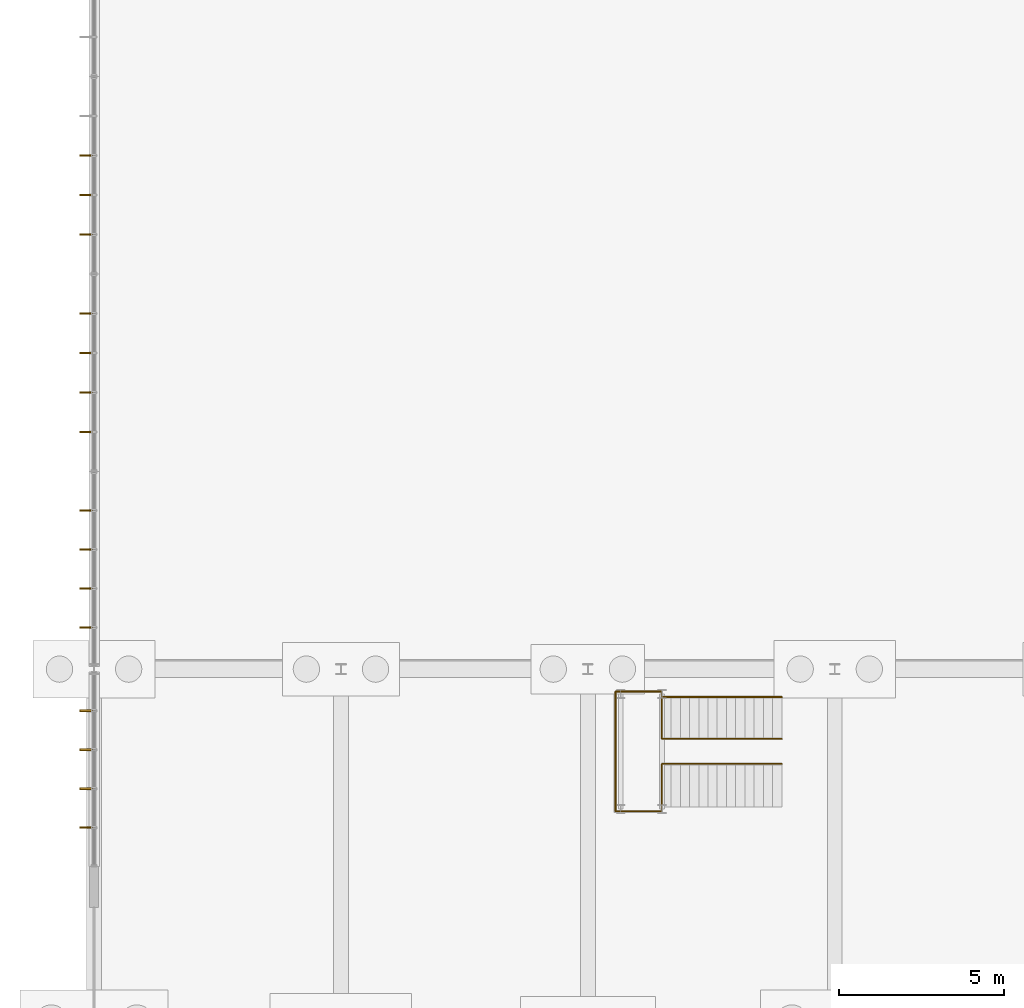
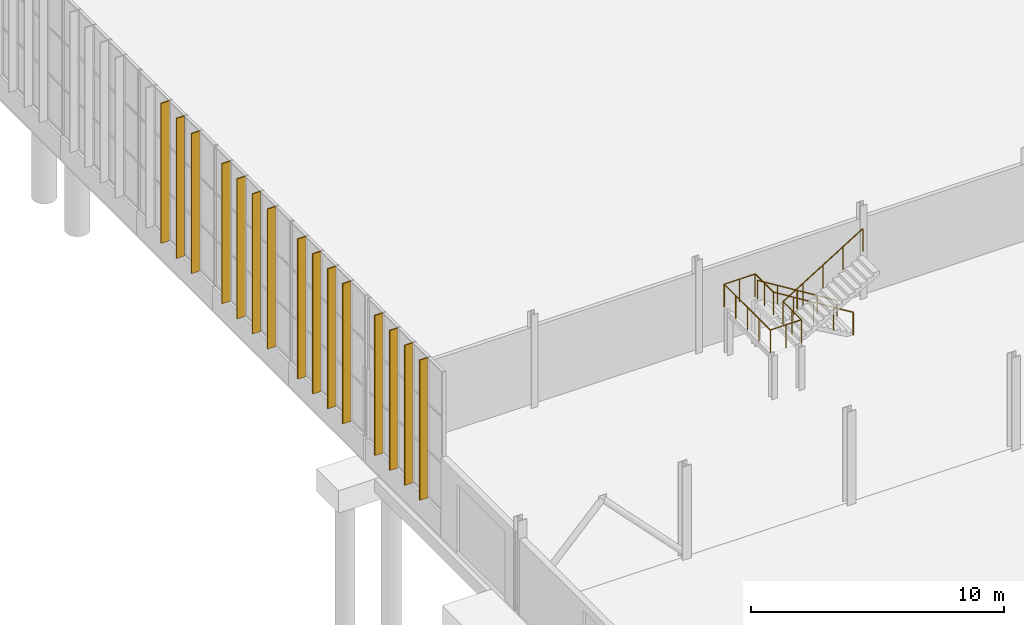
# One storey, part 124 of 136: 15 coverings, 2 railings.
"""IFC4 building model written with IfcOpenShell, lengths in metres."""

import ifcopenshell
import ifcopenshell.guid

model = None  # the IFC model being written
_history = None  # IfcOwnerHistory: only IFC2X3 demands one
_inside = {}  # id of a spatial element -> (the spatial element, [elements in it])
_under = {}  # id of a project, library or spatial element -> (it, [spatial elements below it])
_declared = {}  # id of a project -> (the project, [libraries it declares])
_typed = {}  # id of a type object -> (the type object, [elements of that type])
_made_of = {}  # id of a material, layer set ... -> (it, [elements and type objects made of it])


def new_model(schema):
    """Start an empty IFC model of exactly this schema.

    Asked for "IFC4X3", IfcOpenShell would pick the latest addendum, in which some entities
    have other attributes; the version numbers below select the first issue.
    IFC2X3 requires an IfcOwnerHistory on every rooted entity: one is made here for all.
    """
    global model, _history
    if schema == "IFC4X3":
        model = ifcopenshell.file(schema_version=(4, 3, 0, 0))
    else:
        model = ifcopenshell.file(schema=schema)
    _inside.clear()
    _under.clear()
    _declared.clear()
    _typed.clear()
    _made_of.clear()
    _history = None
    if model.schema == "IFC2X3":
        org = make("IfcOrganization", Name="unknown")
        user = make(
            "IfcPersonAndOrganization",
            ThePerson=make("IfcPerson", FamilyName="unknown"),
            TheOrganization=org,
        )
        app = make(
            "IfcApplication",
            ApplicationDeveloper=org,
            Version="unknown",
            ApplicationFullName="unknown",
            ApplicationIdentifier="unknown",
        )
        _history = make(
            "IfcOwnerHistory",
            OwningUser=user,
            OwningApplication=app,
            ChangeAction="ADDED",
            CreationDate=0,
        )
    return model


def make(cls, **values):
    """One entity of the class cls with the attributes given. An attribute that is None is left unset."""
    return model.create_entity(
        cls, **{name: value for name, value in values.items() if value is not None}
    )


def rooted(cls, **values):
    """An entity with a GlobalId (a new one), such as an element, a storey or a relation."""
    return make(cls, GlobalId=ifcopenshell.guid.new(), OwnerHistory=_history, **values)


def si_unit(unit_type, name, prefix=None):
    """IfcSIUnit, for example si_unit("LENGTHUNIT", "METRE", prefix="MILLI")."""
    return make("IfcSIUnit", UnitType=unit_type, Prefix=prefix, Name=name)


def assignment(units):
    """IfcUnitAssignment: the units of a project."""
    return None if units is None else make("IfcUnitAssignment", Units=units)


def point(xyz):
    """IfcCartesianPoint."""
    return None if xyz is None else make("IfcCartesianPoint", Coordinates=xyz)


def direction(xyz):
    """IfcDirection."""
    return None if xyz is None else make("IfcDirection", DirectionRatios=xyz)


def frame(location, z_axis=None, x_axis=None):
    """IfcAxis2Placement3D, a coordinate frame: its origin and axes. An axis left out is left unset."""
    return make(
        "IfcAxis2Placement3D",
        Location=point(location),
        Axis=direction(z_axis),
        RefDirection=direction(x_axis),
    )


def frame_2d(location, x_axis=None):
    """IfcAxis2Placement2D, a coordinate frame in the plane: its origin and x axis."""
    return make(
        "IfcAxis2Placement2D", Location=point(location), RefDirection=direction(x_axis)
    )


def origin():
    """The frame at (0, 0, 0) with its axes left unset."""
    return frame((0.0, 0.0, 0.0))


def origin_2d():
    """The frame at (0, 0) in the plane with its x axis left unset."""
    return frame_2d((0.0, 0.0))


def place(relative_to, where):
    """IfcLocalPlacement: puts the frame where relative to a parent placement (None: the world)."""
    return make(
        "IfcLocalPlacement", PlacementRelTo=relative_to, RelativePlacement=where
    )


def context(
    kind, dimensions, precision=None, world=None, true_north=None, identifier=None
):
    """IfcGeometricRepresentationContext, for example the 3D "Model" context."""
    return make(
        "IfcGeometricRepresentationContext",
        ContextIdentifier=identifier,
        ContextType=kind,
        CoordinateSpaceDimension=dimensions,
        Precision=precision,
        WorldCoordinateSystem=world,
        TrueNorth=true_north,
    )


def subcontext(parent, identifier, kind, view, scale=None):
    """IfcGeometricRepresentationSubContext, for example "Body" below "Model"."""
    return make(
        "IfcGeometricRepresentationSubContext",
        ContextIdentifier=identifier,
        ContextType=kind,
        ParentContext=parent,
        TargetScale=scale,
        TargetView=view,
    )


def project(units=None, contexts=None):
    """IfcProject with its units and contexts."""
    return rooted(
        "IfcProject",
        Name="project",
        RepresentationContexts=contexts,
        UnitsInContext=assignment(units),
    )


def spatial(cls, under=None, at=None, **own):
    """A site, building, storey or space (cls), placed at a placement, below another one or the project."""
    s = rooted(cls, ObjectPlacement=at, **own)
    if under is not None:
        _under.setdefault(under.id(), (under, []))[1].append(s)
    return s


def profile(cls, at=None, kind="AREA", **sizes):
    """A parametric profile (cls). Its sizes go by their IFC names, for example OverallWidth=200.0."""
    return make(cls, ProfileType=kind, Position=at, **sizes)


def rectangle(**sizes):
    """IfcRectangleProfileDef."""
    return profile("IfcRectangleProfileDef", **sizes)


def circle(**sizes):
    """IfcCircleProfileDef."""
    return profile("IfcCircleProfileDef", **sizes)


def extrude(swept, where, along, depth):
    """IfcExtrudedAreaSolid: the profile swept, set in the frame where, extruded along a direction by depth."""
    return make(
        "IfcExtrudedAreaSolid",
        SweptArea=swept,
        Position=where,
        ExtrudedDirection=direction(along),
        Depth=depth,
    )


def shape(context_of_items, identifier, shape_type, items):
    """IfcShapeRepresentation: the items that make up one representation, for example the "Body"."""
    return make(
        "IfcShapeRepresentation",
        ContextOfItems=context_of_items,
        RepresentationIdentifier=identifier,
        RepresentationType=shape_type,
        Items=items,
    )


def material(Name=None, Category=None):
    """IfcMaterial."""
    return make("IfcMaterial", Name=Name, Category=Category)


def layer(
    of_material, thickness, ventilated=None, Name=None, Category=None, Priority=None
):
    """IfcMaterialLayer: one layer of a wall or slab, of a material (None: an air gap)."""
    return make(
        "IfcMaterialLayer",
        Material=of_material,
        LayerThickness=thickness,
        IsVentilated=ventilated,
        Name=Name,
        Category=Category,
        Priority=Priority,
    )


def layer_set(layers, Name=None):
    """IfcMaterialLayerSet."""
    return make("IfcMaterialLayerSet", MaterialLayers=layers, LayerSetName=Name)


def made_of(thing, what):
    """Note that an element or type object is made of a material, layer set ...; save() writes the relation."""
    if what is not None:
        _made_of.setdefault(what.id(), (what, []))[1].append(thing)
    return thing


def type_object(cls, material=None, **own):
    """A type object (cls), such as IfcWallType, which elements share."""
    return made_of(rooted(cls, **own), material)


def element(
    cls,
    number,
    at=None,
    inside=None,
    cuts=None,
    type_object=None,
    material=None,
    context=None,
    identifier="Body",
    shape_type=None,
    held_by="IfcProductDefinitionShape",
    body=None,
    shapes=None,
    **own,
):
    """One element of the class cls, such as IfcWall. Its Tag is "e" and its number.

    at: its placement. inside: the storey or other place that contains it. cuts: it is an
    opening in that element (IfcRelVoidsElement). A single representation is given by context,
    identifier, shape_type and body (its items); several are given by shapes. held_by: the class
    of the entity that holds the representations. save() writes the other relations.
    """
    e = rooted(cls, Tag="e%d" % number, ObjectPlacement=at, **own)
    if body is not None:
        shapes = [shape(context, identifier, shape_type, body)]
    if shapes is not None:
        e.Representation = make(held_by, Representations=shapes)
    if inside is not None:
        _inside.setdefault(inside.id(), (inside, []))[1].append(e)
    if cuts is not None:
        rooted(
            "IfcRelVoidsElement", RelatingBuildingElement=cuts, RelatedOpeningElement=e
        )
    if type_object is not None:
        _typed.setdefault(type_object.id(), (type_object, []))[1].append(e)
    return made_of(e, material)


def aggregate(whole, parts):
    """IfcRelAggregates: a whole, such as a stair, and the parts it consists of."""
    return rooted("IfcRelAggregates", RelatingObject=whole, RelatedObjects=parts)


def save(model, path):
    """Write the relations noted so far, then the file.

    IfcRelAggregates (storeys below a building ...), IfcRelContainedInSpatialStructure (elements
    in a storey), IfcRelDefinesByType, IfcRelAssociatesMaterial and IfcRelDeclares: one each for
    every whole, place, type object, material and project.
    """
    for whole, parts in _under.values():
        aggregate(whole, parts)
    for where, things in _inside.values():
        rooted(
            "IfcRelContainedInSpatialStructure",
            RelatedElements=things,
            RelatingStructure=where,
        )
    for kind, things in _typed.values():
        rooted("IfcRelDefinesByType", RelatedObjects=things, RelatingType=kind)
    for what, things in _made_of.values():
        rooted("IfcRelAssociatesMaterial", RelatedObjects=things, RelatingMaterial=what)
    for by, libraries in _declared.values():
        rooted("IfcRelDeclares", RelatingContext=by, RelatedDefinitions=libraries)
    model.write(path)


model = new_model("IFC4")

# Units and contexts
model_context = context("Model", 3, precision=1e-05, world=origin(), true_north=direction((0.0, 1.0)))
body_context = subcontext(model_context, "Body", "Model", "MODEL_VIEW")
ifc_project = project(units=[si_unit("LENGTHUNIT", "METRE"), si_unit("AREAUNIT", "SQUARE_METRE"), si_unit("VOLUMEUNIT", "CUBIC_METRE"), si_unit("PLANEANGLEUNIT", "RADIAN"), si_unit("MASSUNIT", "GRAM", prefix="KILO")], contexts=[model_context])

# Site, building, storey
site_placement = place(None, origin())
site = spatial("IfcSite", under=ifc_project, at=site_placement, CompositionType="ELEMENT")
building_placement = place(site_placement, origin())
building = spatial("IfcBuilding", under=site, at=building_placement, Name="Solvenia Promenade Tram Depot", CompositionType="ELEMENT")
storey_placement = place(building_placement, origin())
storey = spatial("IfcBuildingStorey", under=building, at=storey_placement, Name="L00", CompositionType="ELEMENT", Elevation=0.0)

# Coverings
ifc_material = material(Name="Anodized aluminium AW-6063 T6", Category="aluminium")
ifc_layer = layer(ifc_material, 0.050048828125, Name="Anodized aluminium AW-6063 T6", Category="aluminium")
ifc_layer_set = layer_set([ifc_layer], Name="Anodized aluminium AW-6063 T6")
covering_type = type_object("IfcCoveringType", Name="Fin-Shade-380", PredefinedType="CLADDING", material=ifc_layer_set)
for number, where, z_axis, x_axis, name in (
    (1, (-0.25, 73.18408203125, 1.14990234375), (0.0, 0.0, 1.0), (1.0, 0.0, 0.0), "West Channel-Glass Shading Rib 146"),
    (2, (-0.25, 74.367919921875, 1.14990234375), (0.0, 0.0, 1.0), (1.0, 0.0, 0.0), "West Channel-Glass Shading Rib 147"),
    (3, (-0.25, 75.552001953125, 1.14990234375), (0.0, 0.0, 1.0), (1.0, 0.0, 0.0), "West Channel-Glass Shading Rib 148"),
    (4, (-0.25, 76.736083984375, 1.14990234375), (0.0, 0.0, 1.0), (1.0, 0.0, 0.0), "West Channel-Glass Shading Rib 149"),
    (5, (-0.25, 79.263916015625, 1.14990234375), (0.0, 0.0, 1.0), (1.0, 0.0, 0.0), "West Channel-Glass Shading Rib 150"),
    (6, (-0.25, 80.447998046875, 1.14990234375), (0.0, 0.0, 1.0), (1.0, 0.0, 0.0), "West Channel-Glass Shading Rib 151"),
    (7, (-0.25, 81.632080078125, 1.14990234375), (0.0, 0.0, 1.0), (1.0, 0.0, 0.0), "West Channel-Glass Shading Rib 152"),
    (8, (-0.25, 82.81591796875, 1.14990234375), (0.0, 0.0, 1.0), (1.0, 0.0, 0.0), "West Channel-Glass Shading Rib 153"),
    (9, (-0.25, 85.199951171875, 1.14990234375), (0.0, 0.0, 1.0), (1.0, 0.0, 0.0), "West Channel-Glass Shading Rib 154"),
    (10, (-0.25, 86.39990234375, 1.14990234375), (0.0, 0.0, 1.0), (1.0, 0.0, 0.0), "West Channel-Glass Shading Rib 155"),
    (11, (-0.25, 87.60009765625, 1.14990234375), (0.0, 0.0, 1.0), (1.0, 0.0, 0.0), "West Channel-Glass Shading Rib 156"),
    (12, (-0.25, 88.800048828125, 1.14990234375), (0.0, 0.0, 1.0), (1.0, 0.0, 0.0), "West Channel-Glass Shading Rib 157"),
    (13, (-0.25, 91.199951171875, 1.14990234375), (0.0, 0.0, 1.0), (1.0, 0.0, 0.0), "West Channel-Glass Shading Rib 158"),
    (14, (-0.25, 92.39990234375, 1.14990234375), (0.0, 0.0, 1.0), (1.0, 0.0, 0.0), "West Channel-Glass Shading Rib 159"),
    (15, (-0.25, 93.60009765625, 1.14990234375), (0.0, 0.0, 1.0), (1.0, 0.0, 0.0), "West Channel-Glass Shading Rib 160"),
):
    element("IfcCovering", number, at=place(storey_placement, frame(where, z_axis=z_axis, x_axis=x_axis)), inside=storey, type_object=covering_type, Name=name, PredefinedType="CLADDING", context=body_context, shape_type="SweptSolid", body=[
        extrude(rectangle(XDim=0.3798828125, YDim=0.050048828125, at=origin_2d()), origin(), (0.0, 0.0, 1.0), 6.75),
    ])

# Railings
railing_type_1 = type_object("IfcRailingType", Name="Guard-Stair-1100", PredefinedType="GUARDRAIL", material=ifc_material)
railing_1_placement = place(storey_placement, frame((20.889892578125, 75.8798828125, 0.0)))
element("IfcRailing", 16, at=railing_1_placement, inside=storey, type_object=railing_type_1, Name="Gallery Flight and Half-Landing Guard ST-GAL-01", PredefinedType="GUARDRAIL", context=body_context, shape_type="SweptSolid", body=[
    extrude(circle(Radius=0.02392578125, at=origin_2d()), frame((0.0, 0.0, 1.09619140625), z_axis=(-0.850606632239, 0.0, 0.525802583857), x_axis=(0.0, -1.0, 0.0)), (0.0, 0.0, 1.0), 4.279052734375),
    extrude(circle(Radius=0.02392578125, at=origin_2d()), frame((-3.639892578125, 0.0, 3.34619140625), z_axis=(0.0, 1.0, 0.0), x_axis=(-1.0, 0.0, 0.0)), (0.0, 0.0, 1.0), 1.440185546875),
    extrude(circle(Radius=0.02392578125, at=origin_2d()), frame((-3.639892578125, 1.440185546875, 3.34619140625), z_axis=(-1.0, 0.0, 0.0), x_axis=(0.0, -1.0, 0.0)), (0.0, 0.0, 1.0), 1.409912109375),
    extrude(circle(Radius=0.02392578125, at=origin_2d()), frame((-5.0498046875, 1.440185546875, 3.34619140625), z_axis=(0.0, -1.0, 0.0), x_axis=(1.0, 0.0, 0.0)), (0.0, 0.0, 1.0), 3.64013671875),
    extrude(circle(Radius=0.02392578125, at=origin_2d()), frame((-5.0498046875, -2.199951171875, 3.34619140625), z_axis=(1.0, 0.0, 0.0), x_axis=(0.0, 1.0, 0.0)), (0.0, 0.0, 1.0), 1.409912109375),
    extrude(circle(Radius=0.02392578125, at=origin_2d()), frame((-3.639892578125, -2.199951171875, 3.34619140625), z_axis=(0.0, 1.0, 0.0), x_axis=(-1.0, 0.0, 0.0)), (0.0, 0.0, 1.0), 1.440185546875),
    extrude(circle(Radius=0.02392578125, at=origin_2d()), frame((-3.639892578125, -0.759765625, 3.34619140625), z_axis=(0.850606632239, 0.0, 0.525802583857), x_axis=(0.0, 1.0, 0.0)), (0.0, 0.0, 1.0), 4.279052734375),
    extrude(circle(Radius=0.02099609375, at=origin_2d()), origin(), (0.0, 0.0, 1.0), 1.072021484375),
    extrude(circle(Radius=0.02099609375, at=origin_2d()), frame((-0.909912109375, 0.0, 0.5625)), (0.0, 0.0, 1.0), 1.072021484375),
    extrude(circle(Radius=0.02099609375, at=origin_2d()), frame((-1.81982421875, 0.0, 1.125)), (0.0, 0.0, 1.0), 1.072021484375),
    extrude(circle(Radius=0.02099609375, at=origin_2d()), frame((-2.72998046875, 0.0, 1.6875)), (0.0, 0.0, 1.0), 1.072021484375),
    extrude(circle(Radius=0.02099609375, at=origin_2d()), frame((-3.639892578125, 0.0, 2.25)), (0.0, 0.0, 1.0), 1.072021484375),
    extrude(circle(Radius=0.02099609375, at=origin_2d()), frame((-3.639892578125, 0.72021484375, 2.25)), (0.0, 0.0, 1.0), 1.072021484375),
    extrude(circle(Radius=0.02099609375, at=origin_2d()), frame((-3.639892578125, 1.440185546875, 2.25)), (0.0, 0.0, 1.0), 1.072021484375),
    extrude(circle(Radius=0.02099609375, at=origin_2d()), frame((-4.3447265625, 1.440185546875, 2.25)), (0.0, 0.0, 1.0), 1.072021484375),
    extrude(circle(Radius=0.02099609375, at=origin_2d()), frame((-5.0498046875, 1.440185546875, 2.25)), (0.0, 0.0, 1.0), 1.072021484375),
    extrude(circle(Radius=0.02099609375, at=origin_2d()), frame((-5.0498046875, 0.5302734375, 2.25)), (0.0, 0.0, 1.0), 1.072021484375),
    extrude(circle(Radius=0.02099609375, at=origin_2d()), frame((-5.0498046875, -0.3798828125, 2.25)), (0.0, 0.0, 1.0), 1.072021484375),
    extrude(circle(Radius=0.02099609375, at=origin_2d()), frame((-5.0498046875, -1.2900390625, 2.25)), (0.0, 0.0, 1.0), 1.072021484375),
    extrude(circle(Radius=0.02099609375, at=origin_2d()), frame((-5.0498046875, -2.199951171875, 2.25)), (0.0, 0.0, 1.0), 1.072021484375),
    extrude(circle(Radius=0.02099609375, at=origin_2d()), frame((-4.3447265625, -2.199951171875, 2.25)), (0.0, 0.0, 1.0), 1.072021484375),
    extrude(circle(Radius=0.02099609375, at=origin_2d()), frame((-3.639892578125, -2.199951171875, 2.25)), (0.0, 0.0, 1.0), 1.072021484375),
    extrude(circle(Radius=0.02099609375, at=origin_2d()), frame((-3.639892578125, -1.47998046875, 2.25)), (0.0, 0.0, 1.0), 1.072021484375),
    extrude(circle(Radius=0.02099609375, at=origin_2d()), frame((-3.639892578125, -0.759765625, 2.25)), (0.0, 0.0, 1.0), 1.072021484375),
    extrude(circle(Radius=0.02099609375, at=origin_2d()), frame((-2.72998046875, -0.759765625, 2.8125)), (0.0, 0.0, 1.0), 1.072021484375),
    extrude(circle(Radius=0.02099609375, at=origin_2d()), frame((-1.81982421875, -0.759765625, 3.375)), (0.0, 0.0, 1.0), 1.072021484375),
    extrude(circle(Radius=0.02099609375, at=origin_2d()), frame((-0.909912109375, -0.759765625, 3.9375)), (0.0, 0.0, 1.0), 1.072021484375),
    extrude(circle(Radius=0.02099609375, at=origin_2d()), frame((0.0, -0.759765625, 4.5)), (0.0, 0.0, 1.0), 1.072021484375),
])
railing_type_2 = type_object("IfcRailingType", Name="Handrail-Stair-920", PredefinedType="HANDRAIL", material=ifc_material)
railing_2_placement = place(storey_placement, frame((20.889892578125, 77.14990234375, 0.0)))
element("IfcRailing", 17, at=railing_2_placement, inside=storey, type_object=railing_type_2, Name="Gallery Stair Outer Handrail ST-GAL-01", PredefinedType="HANDRAIL", context=body_context, shape_type="SweptSolid", body=[
    extrude(circle(Radius=0.02392578125, at=origin_2d()), frame((0.0, 0.0, 0.89599609375), z_axis=(-0.850606632239, 0.0, 0.525802583857), x_axis=(0.0, -1.0, 0.0)), (0.0, 0.0, 1.0), 4.279052734375),
    extrude(circle(Radius=0.02099609375, at=origin_2d()), origin(), (0.0, 0.0, 1.0), 0.871826171875),
    extrude(circle(Radius=0.02099609375, at=origin_2d()), frame((-0.909912109375, 0.0, 0.5625)), (0.0, 0.0, 1.0), 0.871826171875),
    extrude(circle(Radius=0.02099609375, at=origin_2d()), frame((-1.81982421875, 0.0, 1.125)), (0.0, 0.0, 1.0), 0.871826171875),
    extrude(circle(Radius=0.02099609375, at=origin_2d()), frame((-2.72998046875, 0.0, 1.6875)), (0.0, 0.0, 1.0), 0.871826171875),
    extrude(circle(Radius=0.02099609375, at=origin_2d()), frame((-3.639892578125, 0.0, 2.25)), (0.0, 0.0, 1.0), 0.871826171875),
])

save(model, "model.ifc")
